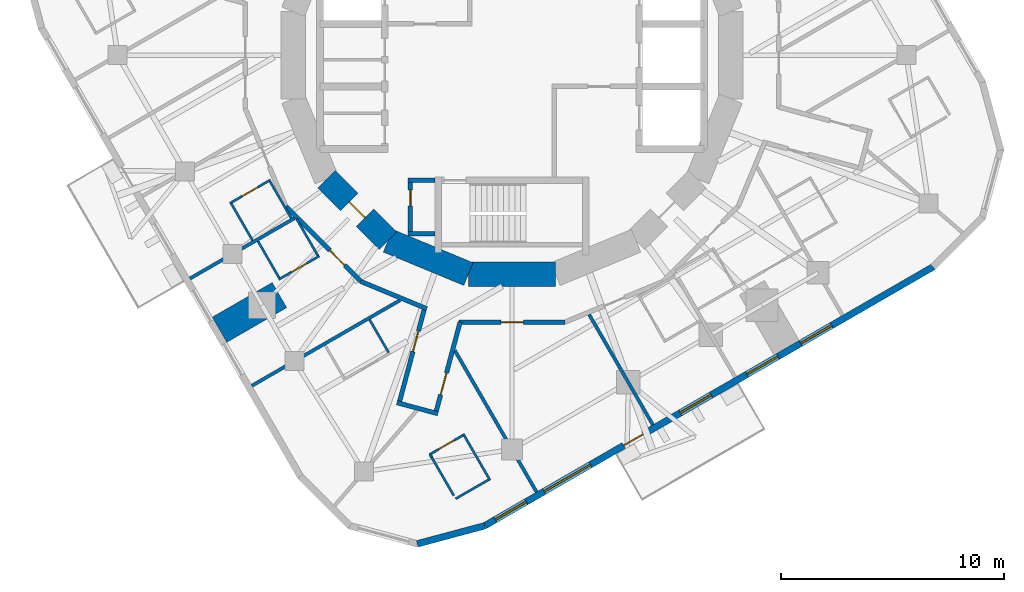
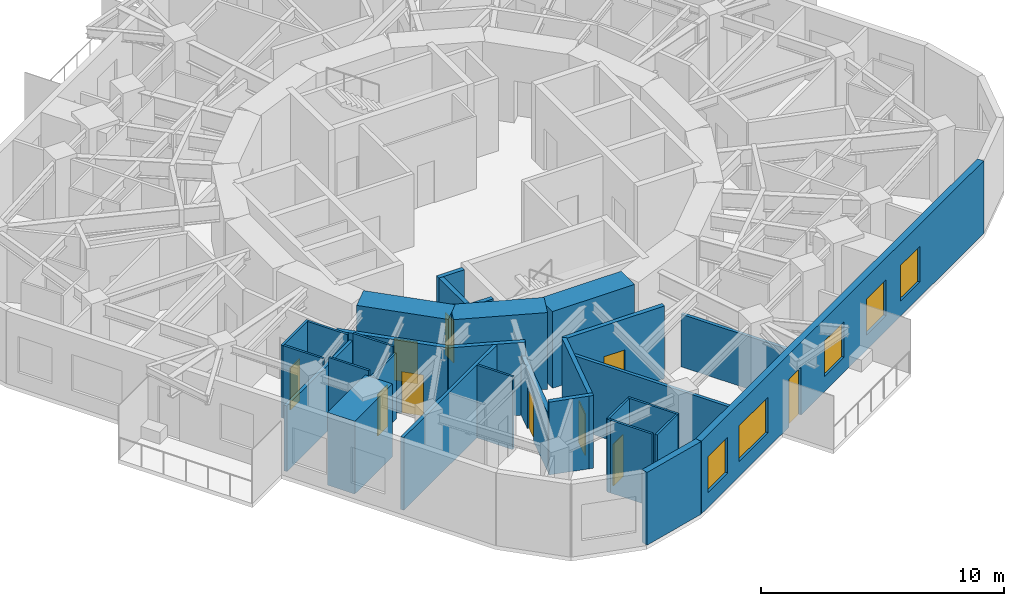
# One storey, part 4 of 11: 31 walls, 10 doors, 5 windows, 15 openings.
"""IFC4 building model written with IfcOpenShell, lengths in metres."""

from ifc_helpers import new_model, si_unit, direction, frame, frame_2d, origin, place, context, subcontext, project, spatial, rectangle, extrude, material, layer, layer_set, type_object, element, fill, save


model = new_model("IFC4")

# Units and contexts
model_context = context("Model", 3, precision=1e-05, world=origin(), true_north=direction((0.0, 1.0)))
body_context = subcontext(model_context, "Body", "Model", "MODEL_VIEW")
ifc_project = project(units=[si_unit("LENGTHUNIT", "METRE"), si_unit("AREAUNIT", "SQUARE_METRE"), si_unit("VOLUMEUNIT", "CUBIC_METRE"), si_unit("PLANEANGLEUNIT", "RADIAN"), si_unit("MASSUNIT", "GRAM", prefix="KILO")], contexts=[model_context])

# Site, building, storey
site_placement = place(None, origin())
site = spatial("IfcSite", under=ifc_project, at=site_placement, CompositionType="ELEMENT")
building_placement = place(site_placement, origin())
building = spatial("IfcBuilding", under=site, at=building_placement, Name="Nakasero Lantern House", CompositionType="ELEMENT")
storey_placement = place(building_placement, frame((0.0, 0.0, 230.800048828125)))
storey = spatial("IfcBuildingStorey", under=building, at=storey_placement, Name="L56", CompositionType="ELEMENT", Elevation=230.800048828125)

# Wall
ifc_material_1 = material(Name="Blockwork", Category="masonry")
ifc_layer_1 = layer(ifc_material_1, 1.300048828125)
ifc_layer_set_1 = layer_set([ifc_layer_1], Name="Column pier 1300")
wall_type_1 = type_object("IfcWallType", Name="Column pier 1300", PredefinedType="PARTITIONING", material=ifc_layer_set_1)
wall_1_placement = place(storey_placement, frame((-10.4208984375, -10.75048828125, 0.0), z_axis=(0.0, 0.0, 1.0), x_axis=(-0.866063626216, -0.499933790963, 0.0)))
element("IfcWall", 1, at=wall_1_placement, inside=storey, type_object=wall_type_1, Name="Column pier L56 PN2-05", PredefinedType="PARTITIONING", context=body_context, shape_type="SweptSolid", body=[
    extrude(rectangle(XDim=3.10009765625, YDim=1.300048828125, at=frame_2d((1.550048828125, 0.0))), origin(), (0.0, 0.0, 1.0), 3.64990234375),
])

# Wall, opening, door
ifc_material_2 = material(Name="Concrete C50/60", Category="concrete")
ifc_layer_2 = layer(ifc_material_2, 1.10009765625)
ifc_layer_set_2 = layer_set([ifc_layer_2], Name="Core wall 1100")
wall_type_2 = type_object("IfcWallType", Name="Core wall 1100", PredefinedType="SHEAR", material=ifc_layer_set_2)
wall_2_placement = place(storey_placement, frame((-8.314697265625, -5.5556640625, 0.0), z_axis=(0.0, 0.0, 1.0), x_axis=(0.707106781187, -0.707106781187, 0.0)))
wall_2 = element("IfcWall", 2, at=wall_2_placement, inside=storey, type_object=wall_type_2, Name="Core wall L56 facet 10", PredefinedType="SHEAR", context=body_context, shape_type="SweptSolid", body=[
    extrude(rectangle(XDim=3.90185546875, YDim=1.10009765625, at=frame_2d((1.950927734375, 0.0))), origin(), (0.0, 0.0, 1.0), 3.849853515625),
])
opening_1_placement = place(wall_2_placement, frame((1.450927734375, 0.0, 0.0)))
opening_1 = element("IfcOpeningElement", 3, at=opening_1_placement, cuts=wall_2, Name="Opening D05", PredefinedType="OPENING", context=body_context, shape_type="SweptSolid", body=[
    extrude(rectangle(XDim=1.0, YDim=2.10009765625, at=frame_2d((0.5, 1.050048828125))), frame((0.0, 0.570068359375, 0.0), z_axis=(0.0, -1.0, 0.0), x_axis=(1.0, 0.0, 0.0)), (0.0, 0.0, 1.0), 1.14013671875),
])
ifc_material_3 = material(Name="Timber C24", Category="wood")
door_type_1 = type_object("IfcDoorType", Name="Core door FD60S 1000", OperationType="SINGLE_SWING_LEFT", PredefinedType="DOOR", material=ifc_material_3)
door_1_placement = place(opening_1_placement, origin())
door_1 = element("IfcDoor", 4, at=door_1_placement, inside=storey, type_object=door_type_1, Name="Door L56 D-CORE10", OperationType="SINGLE_SWING_LEFT", OverallHeight=2.10009765625, OverallWidth=1.0, PredefinedType="DOOR", context=body_context, shape_type="SweptSolid", body=[
    extrude(rectangle(XDim=1.0, YDim=2.10009765625, at=frame_2d((0.5, 1.050048828125))), frame((0.0, 0.02490234375, 0.0), z_axis=(0.0, -1.0, 0.0), x_axis=(1.0, 0.0, 0.0)), (0.0, 0.0, 1.0), 0.050048828125),
])
fill(opening_1, door_1)

# Walls
for number, where, z_axis, x_axis, name in (
    (5, (-5.5556640625, -8.314697265625, 0.0), (0.0, 0.0, 1.0), (0.923876507187, -0.382690736062, 0.0), "Core wall L56 facet 11"),
    (6, (-1.950927734375, -9.807861328125, 0.0), (0.0, 0.0, 1.0), (1.0, 0.0, 0.0), "Core wall L56 facet 12"),
):
    element("IfcWall", number, at=place(storey_placement, frame(where, z_axis=z_axis, x_axis=x_axis)), inside=storey, type_object=wall_type_2, Name=name, PredefinedType="SHEAR", context=body_context, shape_type="SweptSolid", body=[
        extrude(rectangle(XDim=3.90185546875, YDim=1.10009765625, at=frame_2d((1.950927734375, 0.0))), origin(), (0.0, 0.0, 1.0), 3.849853515625),
    ])

# Wall, opening, door
ifc_material_4 = material(Name="Blockwork", Category="masonry")
ifc_layer_3 = layer(ifc_material_4, 0.199951171875)
ifc_layer_set_3 = layer_set([ifc_layer_3], Name="Corridor wall 200")
wall_type_3 = type_object("IfcWallType", Name="Corridor wall 200", PredefinedType="PARTITIONING", material=ifc_layer_set_3)
wall_3_placement = place(storey_placement, frame((2.378662109375, -11.957763671875, 0.0), z_axis=(0.0, 0.0, 1.0), x_axis=(-1.0, 0.0, 0.0)))
wall_3 = element("IfcWall", 7, at=wall_3_placement, inside=storey, type_object=wall_type_3, Name="Corridor wall L56 RC04a", PredefinedType="PARTITIONING", context=body_context, shape_type="SweptSolid", body=[
    extrude(rectangle(XDim=4.75732421875, YDim=0.199951171875, at=frame_2d((2.378662109375, 0.0))), origin(), (0.0, 0.0, 1.0), 3.64990234375),
])
opening_2_placement = place(wall_3_placement, frame((1.8701171875, 0.0, 0.0)))
opening_2 = element("IfcOpeningElement", 8, at=opening_2_placement, cuts=wall_3, Name="Opening D03", PredefinedType="OPENING", context=body_context, shape_type="SweptSolid", body=[
    extrude(rectangle(XDim=1.0, YDim=2.10009765625, at=frame_2d((0.5, 1.050048828125))), frame((0.0, 0.119873046875, 0.0), z_axis=(0.0, -1.0, 0.0), x_axis=(1.0, 0.0, 0.0)), (0.0, 0.0, 1.0), 0.239990234375),
])
ifc_material_5 = material(Name="Timber C24", Category="wood")
door_type_2 = type_object("IfcDoorType", Name="Lounge door FD30S 1000", OperationType="SINGLE_SWING_LEFT", PredefinedType="DOOR", material=ifc_material_5)
door_2_placement = place(opening_2_placement, origin())
door_2 = element("IfcDoor", 9, at=door_2_placement, inside=storey, type_object=door_type_2, Name="Door L56 DK3", OperationType="SINGLE_SWING_LEFT", OverallHeight=2.10009765625, OverallWidth=1.0, PredefinedType="DOOR", context=body_context, shape_type="SweptSolid", body=[
    extrude(rectangle(XDim=1.0, YDim=2.10009765625, at=frame_2d((0.5, 1.050048828125))), frame((0.0, 0.02490234375, 0.0), z_axis=(0.0, -1.0, 0.0), x_axis=(1.0, 0.0, 0.0)), (0.0, 0.0, 1.0), 0.050048828125),
])
fill(opening_2, door_2)

# Wall
wall_4_placement = place(storey_placement, frame((-3.820556640625, -11.360595703125, 0.0), z_axis=(0.0, 0.0, 1.0), x_axis=(-0.923888369431, 0.382662097458, 0.0)))
element("IfcWall", 10, at=wall_4_placement, inside=storey, type_object=wall_type_3, Name="Corridor wall L56 RC05b", PredefinedType="PARTITIONING", context=body_context, shape_type="SweptSolid", body=[
    extrude(rectangle(XDim=3.1962890625, YDim=0.199951171875, at=frame_2d((1.59814453125, 0.0))), origin(), (0.0, 0.0, 1.0), 3.64990234375),
])

# Wall, opening, door
wall_5_placement = place(storey_placement, frame((-6.773681640625, -10.137451171875, 0.0), z_axis=(0.0, 0.0, 1.0), x_axis=(-0.707106781187, 0.707106781187, 0.0)))
wall_5 = element("IfcWall", 11, at=wall_5_placement, inside=storey, type_object=wall_type_3, Name="Corridor wall L56 RC06a", PredefinedType="PARTITIONING", context=body_context, shape_type="SweptSolid", body=[
    extrude(rectangle(XDim=4.757080078125, YDim=0.199951171875, at=frame_2d((2.37841796875, 0.0))), origin(), (0.0, 0.0, 1.0), 3.64990234375),
])
opening_3_placement = place(wall_5_placement, frame((1.02001953125, 0.0, 0.0)))
opening_3 = element("IfcOpeningElement", 12, at=opening_3_placement, cuts=wall_5, Name="Opening D01", PredefinedType="OPENING", context=body_context, shape_type="SweptSolid", body=[
    extrude(rectangle(XDim=0.949951171875, YDim=2.10009765625, at=frame_2d((0.47509765625, 1.050048828125))), frame((0.0, 0.119873046875, 0.0), z_axis=(0.0, -1.0, 0.0), x_axis=(1.0, 0.0, 0.0)), (0.0, 0.0, 1.0), 0.239990234375),
])
ifc_material_6 = material(Name="Timber C24", Category="wood")
door_type_3 = type_object("IfcDoorType", Name="Bedroom door FD30S 950", OperationType="SINGLE_SWING_LEFT", PredefinedType="DOOR", material=ifc_material_6)
door_3_placement = place(opening_3_placement, origin())
door_3 = element("IfcDoor", 13, at=door_3_placement, inside=storey, type_object=door_type_3, Name="Door L56 D2-04", OperationType="SINGLE_SWING_LEFT", OverallHeight=2.10009765625, OverallWidth=0.949951171875, PredefinedType="DOOR", context=body_context, shape_type="SweptSolid", body=[
    extrude(rectangle(XDim=0.949951171875, YDim=2.10009765625, at=frame_2d((0.47509765625, 1.050048828125))), frame((0.0, 0.02490234375, 0.0), z_axis=(0.0, -1.0, 0.0), x_axis=(1.0, 0.0, 0.0)), (0.0, 0.0, 1.0), 0.050048828125),
])
fill(opening_3, door_3)

wall_6_placement = place(storey_placement, frame((-3.913818359375, -11.322021484375, 0.0), z_axis=(0.0, 0.0, 1.0), x_axis=(-0.258777439659, -0.965936973474, 0.0)))
wall_6 = element("IfcWall", 14, at=wall_6_placement, inside=storey, type_object=wall_type_3, Name="Corridor wall L56 SP2a", PredefinedType="PARTITIONING", context=body_context, shape_type="SweptSolid", body=[
    extrude(rectangle(XDim=4.524658203125, YDim=0.199951171875, at=frame_2d((2.26220703125, 0.0))), origin(), (0.0, 0.0, 1.0), 2.95703125),
])
opening_4_placement = place(wall_6_placement, frame((1.070068359375, 0.0, 0.0)))
opening_4 = element("IfcOpeningElement", 15, at=opening_4_placement, cuts=wall_6, Name="Opening D01", PredefinedType="OPENING", context=body_context, shape_type="SweptSolid", body=[
    extrude(rectangle(XDim=0.949951171875, YDim=2.10009765625, at=frame_2d((0.47509765625, 1.050048828125))), frame((0.0, 0.119873046875, 0.0), z_axis=(0.0, -1.0, 0.0), x_axis=(1.0, 0.0, 0.0)), (0.0, 0.0, 1.0), 0.239990234375),
])
door_4_placement = place(opening_4_placement, origin())
door_4 = element("IfcDoor", 16, at=door_4_placement, inside=storey, type_object=door_type_3, Name="Door L56 D2-06", OperationType="SINGLE_SWING_LEFT", OverallHeight=2.10009765625, OverallWidth=0.949951171875, PredefinedType="DOOR", context=body_context, shape_type="SweptSolid", body=[
    extrude(rectangle(XDim=0.949951171875, YDim=2.10009765625, at=frame_2d((0.47509765625, 1.050048828125))), frame((0.0, 0.02490234375, 0.0), z_axis=(0.0, -1.0, 0.0), x_axis=(1.0, 0.0, 0.0)), (0.0, 0.0, 1.0), 0.050048828125),
])
fill(opening_4, door_4)

wall_7_placement = place(storey_placement, frame((-2.32421875, -11.957763671875, 0.0), z_axis=(0.0, 0.0, 1.0), x_axis=(-0.258769967576, -0.965938975236, 0.0)))
wall_7 = element("IfcWall", 17, at=wall_7_placement, inside=storey, type_object=wall_type_3, Name="Corridor wall L56 SP2b", PredefinedType="PARTITIONING", context=body_context, shape_type="SweptSolid", body=[
    extrude(rectangle(XDim=4.322021484375, YDim=0.199951171875, at=frame_2d((2.1611328125, 0.0))), origin(), (0.0, 0.0, 1.0), 3.64990234375),
])
opening_5_placement = place(wall_7_placement, frame((2.3701171875, 0.0, 0.0)))
opening_5 = element("IfcOpeningElement", 18, at=opening_5_placement, cuts=wall_7, Name="Opening D07", PredefinedType="OPENING", context=body_context, shape_type="SweptSolid", body=[
    extrude(rectangle(XDim=1.0, YDim=2.10009765625, at=frame_2d((0.5, 1.050048828125))), frame((0.0, 0.119873046875, 0.0), z_axis=(0.0, -1.0, 0.0), x_axis=(1.0, 0.0, 0.0)), (0.0, 0.0, 1.0), 0.239990234375),
])
ifc_material_7 = material(Name="Timber C24", Category="wood")
door_type_4 = type_object("IfcDoorType", Name="Room door FD30S 1000", OperationType="SINGLE_SWING_LEFT", PredefinedType="DOOR", material=ifc_material_7)
door_5_placement = place(opening_5_placement, origin())
door_5 = element("IfcDoor", 19, at=door_5_placement, inside=storey, type_object=door_type_4, Name="Door L56 D3-00", OperationType="SINGLE_SWING_RIGHT", OverallHeight=2.10009765625, OverallWidth=1.0, PredefinedType="DOOR", context=body_context, shape_type="SweptSolid", body=[
    extrude(rectangle(XDim=1.0, YDim=2.10009765625, at=frame_2d((0.5, 1.050048828125))), frame((0.0, 0.02490234375, 0.0), z_axis=(0.0, -1.0, 0.0), x_axis=(1.0, 0.0, 0.0)), (0.0, 0.0, 1.0), 0.050048828125),
])
fill(opening_5, door_5)

# Wall
wall_8_placement = place(storey_placement, frame((-5.155517578125, -15.570068359375, 0.0), z_axis=(0.0, 0.0, 1.0), x_axis=(0.96593141835, -0.258798174346, 0.0)))
element("IfcWall", 20, at=wall_8_placement, inside=storey, type_object=wall_type_3, Name="Corridor wall L56 SP2e", PredefinedType="PARTITIONING", context=body_context, shape_type="SweptSolid", body=[
    extrude(rectangle(XDim=1.89990234375, YDim=0.199951171875, at=frame_2d((0.949951171875, 0.0))), origin(), (0.0, 0.0, 1.0), 3.64990234375),
])

# Wall, opening, door
ifc_material_8 = material(Name="Blockwork", Category="masonry")
ifc_layer_4 = layer(ifc_material_8, 0.10009765625)
ifc_layer_set_4 = layer_set([ifc_layer_4], Name="En-suite wall 100")
wall_type_4 = type_object("IfcWallType", Name="En-suite wall 100", PredefinedType="PARTITIONING", material=ifc_layer_set_4)
wall_9_placement = place(storey_placement, frame((-10.82470703125, -5.586669921875, 0.0), z_axis=(0.0, 0.0, 1.0), x_axis=(-0.866009402589, -0.500027713859, 0.0)))
wall_9 = element("IfcWall", 21, at=wall_9_placement, inside=storey, type_object=wall_type_4, Name="En-suite wall L56 ES2-03", PredefinedType="PARTITIONING", context=body_context, shape_type="SweptSolid", body=[
    extrude(rectangle(XDim=2.10009765625, YDim=0.10009765625, at=frame_2d((1.050048828125, 0.0))), origin(), (0.0, 0.0, 1.0), 3.64990234375),
])
opening_6_placement = place(wall_9_placement, frame((0.64990234375, 0.0, 0.0)))
opening_6 = element("IfcOpeningElement", 22, at=opening_6_placement, cuts=wall_9, Name="Opening D02", PredefinedType="OPENING", context=body_context, shape_type="SweptSolid", body=[
    extrude(rectangle(XDim=0.800048828125, YDim=2.10009765625, at=frame_2d((0.39990234375, 1.050048828125))), frame((0.0, 0.070068359375, 0.0), z_axis=(0.0, -1.0, 0.0), x_axis=(1.0, 0.0, 0.0)), (0.0, 0.0, 1.0), 0.14013671875),
])
ifc_material_9 = material(Name="Timber C24", Category="wood")
door_type_5 = type_object("IfcDoorType", Name="En-suite door 800", OperationType="SINGLE_SWING_RIGHT", PredefinedType="DOOR", material=ifc_material_9)
door_6_placement = place(opening_6_placement, origin())
door_6 = element("IfcDoor", 23, at=door_6_placement, inside=storey, type_object=door_type_5, Name="Door L56 DE2-03", OperationType="SINGLE_SWING_RIGHT", OverallHeight=2.10009765625, OverallWidth=0.800048828125, PredefinedType="DOOR", context=body_context, shape_type="SweptSolid", body=[
    extrude(rectangle(XDim=0.800048828125, YDim=2.10009765625, at=frame_2d((0.39990234375, 1.050048828125))), frame((0.0, 0.02490234375, 0.0), z_axis=(0.0, -1.0, 0.0), x_axis=(1.0, 0.0, 0.0)), (0.0, 0.0, 1.0), 0.050048828125),
])
fill(opening_6, door_6)

# Walls
for number, where, z_axis, x_axis, name in (
    (24, (-12.574951171875, -6.655029296875, 0.0), (0.0, 0.0, 1.0), (0.499967155389, -0.866044365799, 0.0), "En-suite wall L56 EE2-03"),
    (25, (-10.843017578125, -5.655029296875, 0.0), (0.0, 0.0, 1.0), (0.499967155389, -0.866044365799, 0.0), "En-suite wall L56 EI2-03"),
):
    element("IfcWall", number, at=place(storey_placement, frame(where, z_axis=z_axis, x_axis=x_axis)), inside=storey, type_object=wall_type_4, Name=name, PredefinedType="PARTITIONING", context=body_context, shape_type="SweptSolid", body=[
        extrude(rectangle(XDim=1.900146484375, YDim=0.10009765625, at=frame_2d((0.9501953125, 0.0))), origin(), (0.0, 0.0, 1.0), 3.64990234375),
    ])

# Wall, opening, door
wall_10_placement = place(storey_placement, frame((-8.632080078125, -8.997314453125, 0.0), z_axis=(0.0, 0.0, 1.0), x_axis=(-0.866038466041, -0.499977374825, 0.0)))
wall_10 = element("IfcWall", 26, at=wall_10_placement, inside=storey, type_object=wall_type_4, Name="En-suite wall L56 ES2-04", PredefinedType="PARTITIONING", context=body_context, shape_type="SweptSolid", body=[
    extrude(rectangle(XDim=2.10009765625, YDim=0.10009765625, at=frame_2d((1.050048828125, 0.0))), origin(), (0.0, 0.0, 1.0), 3.294921875),
])
opening_7_placement = place(wall_10_placement, frame((0.64990234375, 0.0, 0.0)))
opening_7 = element("IfcOpeningElement", 27, at=opening_7_placement, cuts=wall_10, Name="Opening D02", PredefinedType="OPENING", context=body_context, shape_type="SweptSolid", body=[
    extrude(rectangle(XDim=0.800048828125, YDim=2.10009765625, at=frame_2d((0.39990234375, 1.050048828125))), frame((0.0, 0.070068359375, 0.0), z_axis=(0.0, -1.0, 0.0), x_axis=(1.0, 0.0, 0.0)), (0.0, 0.0, 1.0), 0.14013671875),
])
door_7_placement = place(opening_7_placement, origin())
door_7 = element("IfcDoor", 28, at=door_7_placement, inside=storey, type_object=door_type_5, Name="Door L56 DE2-04", OperationType="SINGLE_SWING_RIGHT", OverallHeight=2.10009765625, OverallWidth=0.800048828125, PredefinedType="DOOR", context=body_context, shape_type="SweptSolid", body=[
    extrude(rectangle(XDim=0.800048828125, YDim=2.10009765625, at=frame_2d((0.39990234375, 1.050048828125))), frame((0.0, 0.02490234375, 0.0), z_axis=(0.0, -1.0, 0.0), x_axis=(1.0, 0.0, 0.0)), (0.0, 0.0, 1.0), 0.050048828125),
])
fill(opening_7, door_7)

# Walls
for number, where, z_axis, x_axis, name in (
    (29, (-11.382568359375, -8.333740234375, 0.0), (0.0, 0.0, 1.0), (0.500022797313, -0.86601224135, 0.0), "En-suite wall L56 EE2-04"),
    (30, (-9.650390625, -7.333740234375, 0.0), (0.0, 0.0, 1.0), (0.500022797313, -0.86601224135, 0.0), "En-suite wall L56 EI2-04"),
):
    element("IfcWall", number, at=place(storey_placement, frame(where, z_axis=z_axis, x_axis=x_axis)), inside=storey, type_object=wall_type_4, Name=name, PredefinedType="PARTITIONING", context=body_context, shape_type="SweptSolid", body=[
        extrude(rectangle(XDim=1.89990234375, YDim=0.10009765625, at=frame_2d((0.949951171875, 0.0))), origin(), (0.0, 0.0, 1.0), 3.64990234375),
    ])
wall_11_placement = place(storey_placement, frame((-6.37890625, -11.8515625, 0.0), z_axis=(0.0, 0.0, 1.0), x_axis=(0.500062241894, -0.865989465428, 0.0)))
element("IfcWall", 31, at=wall_11_placement, inside=storey, type_object=wall_type_4, Name="En-suite wall L56 EI2-06", PredefinedType="PARTITIONING", context=body_context, shape_type="SweptSolid", body=[
    extrude(rectangle(XDim=1.699951171875, YDim=0.10009765625, at=frame_2d((0.85009765625, 0.0))), origin(), (0.0, 0.0, 1.0), 3.64990234375),
])
wall_12_placement = place(storey_placement, frame((-2.18505859375, -16.96533203125, 0.0), z_axis=(0.0, 0.0, 1.0), x_axis=(0.499957262057, -0.866050077142, 0.0)))
element("IfcWall", 32, at=wall_12_placement, inside=storey, type_object=wall_type_4, Name="En-suite wall L56 ES3-00", PredefinedType="PARTITIONING", context=body_context, shape_type="SweptSolid", body=[
    extrude(rectangle(XDim=2.400146484375, YDim=0.10009765625, at=frame_2d((1.2001953125, 0.0))), origin(), (0.0, 0.0, 1.0), 3.64990234375),
])
wall_13_placement = place(storey_placement, frame((-2.525634765625, -19.87548828125, 0.0), z_axis=(0.0, 0.0, 1.0), x_axis=(0.866087547558, 0.499892348375, 0.0)))
element("IfcWall", 33, at=wall_13_placement, inside=storey, type_object=wall_type_4, Name="En-suite wall L56 EE3-00", PredefinedType="PARTITIONING", context=body_context, shape_type="SweptSolid", body=[
    extrude(rectangle(XDim=1.699951171875, YDim=0.10009765625, at=frame_2d((0.85009765625, 0.0))), origin(), (0.0, 0.0, 1.0), 3.64990234375),
])

# Wall, opening, door
wall_14_placement = place(storey_placement, frame((-3.675537109375, -17.8837890625, 0.0), z_axis=(0.0, 0.0, 1.0), x_axis=(0.865989465428, 0.500062241894, 0.0)))
wall_14 = element("IfcWall", 34, at=wall_14_placement, inside=storey, type_object=wall_type_4, Name="En-suite wall L56 EI3-00", PredefinedType="PARTITIONING", context=body_context, shape_type="SweptSolid", body=[
    extrude(rectangle(XDim=1.699951171875, YDim=0.10009765625, at=frame_2d((0.85009765625, 0.0))), origin(), (0.0, 0.0, 1.0), 3.64990234375),
])
opening_8_placement = place(wall_14_placement, frame((0.449951171875, 0.0, 0.0)))
opening_8 = element("IfcOpeningElement", 35, at=opening_8_placement, cuts=wall_14, Name="Opening D15", PredefinedType="OPENING", context=body_context, shape_type="SweptSolid", body=[
    extrude(rectangle(XDim=0.800048828125, YDim=2.10009765625, at=frame_2d((0.39990234375, 1.050048828125))), frame((0.0, 0.070068359375, 0.0), z_axis=(0.0, -1.0, 0.0), x_axis=(1.0, 0.0, 0.0)), (0.0, 0.0, 1.0), 0.14013671875),
])
ifc_material_10 = material(Name="Timber C24", Category="wood")
door_type_6 = type_object("IfcDoorType", Name="Cleaner's store door FD30S 800", OperationType="SINGLE_SWING_LEFT", PredefinedType="DOOR", material=ifc_material_10)
door_8_placement = place(opening_8_placement, origin())
door_8 = element("IfcDoor", 36, at=door_8_placement, inside=storey, type_object=door_type_6, Name="Door L56 DE3-00", OperationType="SINGLE_SWING_RIGHT", OverallHeight=2.10009765625, OverallWidth=0.800048828125, PredefinedType="DOOR", context=body_context, shape_type="SweptSolid", body=[
    extrude(rectangle(XDim=0.800048828125, YDim=2.10009765625, at=frame_2d((0.39990234375, 1.050048828125))), frame((0.0, 0.02490234375, 0.0), z_axis=(0.0, -1.0, 0.0), x_axis=(1.0, 0.0, 0.0)), (0.0, 0.0, 1.0), 0.050048828125),
])
fill(opening_8, door_8)

# Walls
wall_15_placement = place(storey_placement, frame((-3.595458984375, -18.022216796875, 0.0), z_axis=(0.0, 0.0, 1.0), x_axis=(0.499971491109, -0.866041862775, 0.0)))
element("IfcWall", 37, at=wall_15_placement, inside=storey, type_object=wall_type_4, Name="En-suite wall L56 EX003", PredefinedType="PARTITIONING", context=body_context, shape_type="SweptSolid", body=[
    extrude(rectangle(XDim=1.97998046875, YDim=0.10009765625, at=frame_2d((0.989990234375, 0.0))), origin(), (0.0, 0.0, 1.0), 3.64990234375),
])
wall_16_placement = place(storey_placement, frame((-3.675537109375, -17.8837890625, 0.0), z_axis=(0.0, 0.0, 1.0), x_axis=(0.500735348028, -0.865600433939, 0.0)))
element("IfcWall", 38, at=wall_16_placement, inside=storey, type_object=wall_type_4, Name="En-suite wall L56 EI3-00R0", PredefinedType="PARTITIONING", context=body_context, shape_type="SweptSolid", body=[
    extrude(rectangle(XDim=0.159912109375, YDim=0.10009765625, at=frame_2d((0.080078125, 0.0))), origin(), (0.0, 0.0, 1.0), 3.64990234375),
])
ifc_material_11 = material(Name="Aluminium rainscreen on blockwork", Category="masonry")
ifc_layer_5 = layer(ifc_material_11, 0.300048828125)
ifc_layer_set_5 = layer_set([ifc_layer_5], Name="Facade wall 300")
wall_type_5 = type_object("IfcWallType", Name="Facade wall 300", PredefinedType="SOLIDWALL", material=ifc_layer_set_5)
wall_17_placement = place(storey_placement, frame((-4.245849609375, -21.89599609375, 0.0), z_axis=(0.0, 0.0, 1.0), x_axis=(0.96592369199, 0.258827010283, 0.0)))
element("IfcWall", 39, at=wall_17_placement, inside=storey, type_object=wall_type_5, Name="Facade wall L56 FW2C3", PredefinedType="SOLIDWALL", context=body_context, shape_type="SweptSolid", body=[
    extrude(rectangle(XDim=3.131591796875, YDim=0.300048828125, at=frame_2d((1.56591796875, 0.0))), origin(), (0.0, 0.0, 1.0), 3.64990234375),
])

# Wall, openings, door, windows
wall_18_placement = place(storey_placement, frame((-1.220947265625, -21.08544921875, 0.0), z_axis=(0.0, 0.0, 1.0), x_axis=(0.86602366199, 0.500003016864, 0.0)))
wall_18 = element("IfcWall", 40, at=wall_18_placement, inside=storey, type_object=wall_type_5, Name="Facade wall L56 FW3S", PredefinedType="SOLIDWALL", context=body_context, shape_type="SweptSolid", body=[
    extrude(rectangle(XDim=23.199951171875, YDim=0.300048828125, at=frame_2d((11.60009765625, 0.0))), origin(), (0.0, 0.0, 1.0), 3.64990234375),
])
opening_9_placement = place(wall_18_placement, frame((0.5458984375, 0.0, 0.75)))
opening_9 = element("IfcOpeningElement", 41, at=opening_9_placement, cuts=wall_18, Name="Opening W01", PredefinedType="OPENING", context=body_context, shape_type="SweptSolid", body=[
    extrude(rectangle(XDim=1.60009765625, YDim=1.800048828125, at=frame_2d((0.800048828125, 0.89990234375))), frame((0.0, 0.169921875, 0.0), z_axis=(0.0, -1.0, 0.0), x_axis=(1.0, 0.0, 0.0)), (0.0, 0.0, 1.0), 0.340087890625),
])
opening_10_placement = place(wall_18_placement, frame((10.11767578125, 0.0, 0.75)))
opening_10 = element("IfcOpeningElement", 42, at=opening_10_placement, cuts=wall_18, Name="Opening W01", PredefinedType="OPENING", context=body_context, shape_type="SweptSolid", body=[
    extrude(rectangle(XDim=1.60009765625, YDim=1.800048828125, at=frame_2d((0.800048828125, 0.89990234375))), frame((0.0, 0.169921875, 0.0), z_axis=(0.0, -1.0, 0.0), x_axis=(1.0, 0.0, 0.0)), (0.0, 0.0, 1.0), 0.340087890625),
])
opening_11_placement = place(wall_18_placement, frame((13.5751953125, 0.0, 0.75)))
opening_11 = element("IfcOpeningElement", 43, at=opening_11_placement, cuts=wall_18, Name="Opening W01", PredefinedType="OPENING", context=body_context, shape_type="SweptSolid", body=[
    extrude(rectangle(XDim=1.60009765625, YDim=1.800048828125, at=frame_2d((0.800048828125, 0.89990234375))), frame((0.0, 0.169921875, 0.0), z_axis=(0.0, -1.0, 0.0), x_axis=(1.0, 0.0, 0.0)), (0.0, 0.0, 1.0), 0.340087890625),
])
opening_12_placement = place(wall_18_placement, frame((16.349609375, 0.0, 0.75)))
opening_12 = element("IfcOpeningElement", 44, at=opening_12_placement, cuts=wall_18, Name="Opening W01", PredefinedType="OPENING", context=body_context, shape_type="SweptSolid", body=[
    extrude(rectangle(XDim=1.60009765625, YDim=1.800048828125, at=frame_2d((0.800048828125, 0.89990234375))), frame((0.0, 0.169921875, 0.0), z_axis=(0.0, -1.0, 0.0), x_axis=(1.0, 0.0, 0.0)), (0.0, 0.0, 1.0), 0.340087890625),
])
opening_13_placement = place(wall_18_placement, frame((3.071044921875, 0.0, 0.75)))
opening_13 = element("IfcOpeningElement", 45, at=opening_13_placement, cuts=wall_18, Name="Opening W03", PredefinedType="OPENING", context=body_context, shape_type="SweptSolid", body=[
    extrude(rectangle(XDim=2.39990234375, YDim=1.800048828125, at=frame_2d((1.199951171875, 0.89990234375))), frame((0.0, 0.169921875, 0.0), z_axis=(0.0, -1.0, 0.0), x_axis=(1.0, 0.0, 0.0)), (0.0, 0.0, 1.0), 0.340087890625),
])
opening_14_placement = place(wall_18_placement, frame((7.1904296875, 0.0, 0.0)))
opening_14 = element("IfcOpeningElement", 46, at=opening_14_placement, cuts=wall_18, Name="Opening D04", PredefinedType="OPENING", context=body_context, shape_type="SweptSolid", body=[
    extrude(rectangle(XDim=1.0, YDim=2.39990234375, at=frame_2d((0.5, 1.199951171875))), frame((0.0, 0.169921875, 0.0), z_axis=(0.0, -1.0, 0.0), x_axis=(1.0, 0.0, 0.0)), (0.0, 0.0, 1.0), 0.340087890625),
])
ifc_material_12 = material(Name="Aluminium 6063-T6 and glass", Category="aluminium")
door_type_7 = type_object("IfcDoorType", Name="Balcony door 1000x2400", OperationType="SINGLE_SWING_RIGHT", PredefinedType="DOOR", material=ifc_material_12)
door_9_placement = place(opening_14_placement, origin())
door_9 = element("IfcDoor", 47, at=door_9_placement, inside=storey, type_object=door_type_7, Name="Balcony door L56 DB3", OperationType="SINGLE_SWING_RIGHT", OverallHeight=2.39990234375, OverallWidth=1.0, PredefinedType="DOOR", context=body_context, shape_type="SweptSolid", body=[
    extrude(rectangle(XDim=1.0, YDim=2.39990234375, at=frame_2d((0.5, 1.199951171875))), frame((0.0, 0.02490234375, 0.0), z_axis=(0.0, -1.0, 0.0), x_axis=(1.0, 0.0, 0.0)), (0.0, 0.0, 1.0), 0.050048828125),
])
fill(opening_14, door_9)
ifc_material_13 = material(Name="Aluminium 6063-T6 and glass", Category="aluminium")
window_type_1 = type_object("IfcWindowType", Name="Bedroom window 1600x1800", PartitioningType="SINGLE_PANEL", PredefinedType="WINDOW", material=ifc_material_13)
window_1_placement = place(opening_9_placement, origin())
window_1 = element("IfcWindow", 48, at=window_1_placement, inside=storey, type_object=window_type_1, Name="Window L56 WN3-00", OverallHeight=1.800048828125, OverallWidth=1.60009765625, PartitioningType="SINGLE_PANEL", PredefinedType="WINDOW", context=body_context, shape_type="SweptSolid", body=[
    extrude(rectangle(XDim=1.60009765625, YDim=1.800048828125, at=frame_2d((0.800048828125, 0.89990234375))), frame((0.0, 0.030029296875, 0.0), z_axis=(0.0, -1.0, 0.0), x_axis=(1.0, 0.0, 0.0)), (0.0, 0.0, 1.0), 0.06005859375),
])
fill(opening_9, window_1)
window_2_placement = place(opening_10_placement, origin())
window_2 = element("IfcWindow", 49, at=window_2_placement, inside=storey, type_object=window_type_1, Name="Window L56 WN3-03", OverallHeight=1.800048828125, OverallWidth=1.60009765625, PartitioningType="SINGLE_PANEL", PredefinedType="WINDOW", context=body_context, shape_type="SweptSolid", body=[
    extrude(rectangle(XDim=1.60009765625, YDim=1.800048828125, at=frame_2d((0.800048828125, 0.89990234375))), frame((0.0, 0.030029296875, 0.0), z_axis=(0.0, -1.0, 0.0), x_axis=(1.0, 0.0, 0.0)), (0.0, 0.0, 1.0), 0.06005859375),
])
fill(opening_10, window_2)
window_3_placement = place(opening_11_placement, origin())
window_3 = element("IfcWindow", 50, at=window_3_placement, inside=storey, type_object=window_type_1, Name="Window L56 WN3-04", OverallHeight=1.800048828125, OverallWidth=1.60009765625, PartitioningType="SINGLE_PANEL", PredefinedType="WINDOW", context=body_context, shape_type="SweptSolid", body=[
    extrude(rectangle(XDim=1.60009765625, YDim=1.800048828125, at=frame_2d((0.800048828125, 0.89990234375))), frame((0.0, 0.030029296875, 0.0), z_axis=(0.0, -1.0, 0.0), x_axis=(1.0, 0.0, 0.0)), (0.0, 0.0, 1.0), 0.06005859375),
])
fill(opening_11, window_3)
window_4_placement = place(opening_12_placement, origin())
window_4 = element("IfcWindow", 51, at=window_4_placement, inside=storey, type_object=window_type_1, Name="Window L56 WN3-05", OverallHeight=1.800048828125, OverallWidth=1.60009765625, PartitioningType="SINGLE_PANEL", PredefinedType="WINDOW", context=body_context, shape_type="SweptSolid", body=[
    extrude(rectangle(XDim=1.60009765625, YDim=1.800048828125, at=frame_2d((0.800048828125, 0.89990234375))), frame((0.0, 0.030029296875, 0.0), z_axis=(0.0, -1.0, 0.0), x_axis=(1.0, 0.0, 0.0)), (0.0, 0.0, 1.0), 0.06005859375),
])
fill(opening_12, window_4)
ifc_material_14 = material(Name="Aluminium 6063-T6 and glass", Category="aluminium")
window_type_2 = type_object("IfcWindowType", Name="Lounge window 2400x1800", PartitioningType="SINGLE_PANEL", PredefinedType="WINDOW", material=ifc_material_14)
window_5_placement = place(opening_13_placement, origin())
window_5 = element("IfcWindow", 52, at=window_5_placement, inside=storey, type_object=window_type_2, Name="Window L56 WK3", OverallHeight=1.800048828125, OverallWidth=2.39990234375, PartitioningType="SINGLE_PANEL", PredefinedType="WINDOW", context=body_context, shape_type="SweptSolid", body=[
    extrude(rectangle(XDim=2.39990234375, YDim=1.800048828125, at=frame_2d((1.199951171875, 0.89990234375))), frame((0.0, 0.030029296875, 0.0), z_axis=(0.0, -1.0, 0.0), x_axis=(1.0, 0.0, 0.0)), (0.0, 0.0, 1.0), 0.06005859375),
])
fill(opening_13, window_5)

# Wall, opening, door
ifc_material_15 = material(Name="Blockwork", Category="masonry")
ifc_layer_6 = layer(ifc_material_15, 0.199951171875)
ifc_layer_set_6 = layer_set([ifc_layer_6], Name="Fire lobby wall 200")
wall_type_6 = type_object("IfcWallType", Name="Fire lobby wall 200", PredefinedType="PARTITIONING", material=ifc_layer_set_6)
wall_19_placement = place(storey_placement, frame((-4.550048828125, -5.60009765625, 0.0), z_axis=(0.0, 0.0, 1.0), x_axis=(0.0, -1.0, 0.0)))
wall_19 = element("IfcWall", 53, at=wall_19_placement, inside=storey, type_object=wall_type_6, Name="Fire lobby wall L56 W-RS2W", PredefinedType="PARTITIONING", context=body_context, shape_type="SweptSolid", body=[
    extrude(rectangle(XDim=2.39990234375, YDim=0.199951171875, at=frame_2d((1.199951171875, 0.0))), origin(), (0.0, 0.0, 1.0), 3.64990234375),
])
opening_15_placement = place(wall_19_placement, frame((0.449951171875, 0.0, 0.0)))
opening_15 = element("IfcOpeningElement", 54, at=opening_15_placement, cuts=wall_19, Name="Opening D06", PredefinedType="OPENING", context=body_context, shape_type="SweptSolid", body=[
    extrude(rectangle(XDim=0.699951171875, YDim=2.10009765625, at=frame_2d((0.35009765625, 1.050048828125))), frame((0.0, 0.119873046875, 0.0), z_axis=(0.0, -1.0, 0.0), x_axis=(1.0, 0.0, 0.0)), (0.0, 0.0, 1.0), 0.239990234375),
])
ifc_material_16 = material(Name="Steel S355", Category="steel")
door_type_8 = type_object("IfcDoorType", Name="Riser door FD60 700", OperationType="SINGLE_SWING_LEFT", PredefinedType="DOOR", material=ifc_material_16)
door_10_placement = place(opening_15_placement, origin())
door_10 = element("IfcDoor", 55, at=door_10_placement, inside=storey, type_object=door_type_8, Name="Door L56 D-RS2", OperationType="SINGLE_SWING_LEFT", OverallHeight=2.10009765625, OverallWidth=0.699951171875, PredefinedType="DOOR", context=body_context, shape_type="SweptSolid", body=[
    extrude(rectangle(XDim=0.699951171875, YDim=2.10009765625, at=frame_2d((0.35009765625, 1.050048828125))), frame((0.0, 0.02490234375, 0.0), z_axis=(0.0, -1.0, 0.0), x_axis=(1.0, 0.0, 0.0)), (0.0, 0.0, 1.0), 0.050048828125),
])
fill(opening_15, door_10)

# Walls
for number, where, z_axis, x_axis, name in (
    (56, (-3.449951171875, -8.0, 0.0), (0.0, 0.0, 1.0), (-1.0, 0.0, 0.0), "Fire lobby wall L56 W-RS2S"),
    (57, (-3.449951171875, -5.60009765625, 0.0), (0.0, 0.0, 1.0), (-1.0, 0.0, 0.0), "Fire lobby wall L56 W-RS2N"),
):
    element("IfcWall", number, at=place(storey_placement, frame(where, z_axis=z_axis, x_axis=x_axis)), inside=storey, type_object=wall_type_6, Name=name, PredefinedType="PARTITIONING", context=body_context, shape_type="SweptSolid", body=[
        extrude(rectangle(XDim=1.199951171875, YDim=0.199951171875, at=frame_2d((0.60009765625, 0.0))), origin(), (0.0, 0.0, 1.0), 3.64990234375),
    ])
ifc_material_17 = material(Name="Blockwork", Category="masonry")
ifc_layer_7 = layer(ifc_material_17, 0.14990234375)
ifc_layer_set_7 = layer_set([ifc_layer_7], Name="Party wall 150")
wall_type_7 = type_object("IfcWallType", Name="Party wall 150", PredefinedType="PARTITIONING", material=ifc_layer_set_7)
wall_20_placement = place(storey_placement, frame((-9.748779296875, -7.3037109375, 0.0), z_axis=(0.0, 0.0, 1.0), x_axis=(-0.86600807666, -0.500030010259, 0.0)))
element("IfcWall", 58, at=wall_20_placement, inside=storey, type_object=wall_type_7, Name="Party wall L56 PW2-04", PredefinedType="PARTITIONING", context=body_context, shape_type="SweptSolid", body=[
    extrude(rectangle(XDim=5.405517578125, YDim=0.14990234375, at=frame_2d((2.70263671875, 0.0))), origin(), (0.0, 0.0, 1.0), 3.294921875),
])
wall_21_placement = place(storey_placement, frame((-5.011474609375, -10.9755859375, 0.0), z_axis=(0.0, 0.0, 1.0), x_axis=(-0.866033500054, -0.499985976588, 0.0)))
element("IfcWall", 59, at=wall_21_placement, inside=storey, type_object=wall_type_7, Name="Party wall L56 PW2-06", PredefinedType="PARTITIONING", context=body_context, shape_type="SweptSolid", body=[
    extrude(rectangle(XDim=7.672119140625, YDim=0.14990234375, at=frame_2d((3.8359375, 0.0))), origin(), (0.0, 0.0, 1.0), 3.64990234375),
])
wall_22_placement = place(storey_placement, frame((-2.5615234375, -13.230224609375, 0.0), z_axis=(0.0, 0.0, 1.0), x_axis=(0.500004302036, -0.866022919989, 0.0)))
element("IfcWall", 60, at=wall_22_placement, inside=storey, type_object=wall_type_7, Name="Party wall L56 PW3-01", PredefinedType="PARTITIONING", context=body_context, shape_type="SweptSolid", body=[
    extrude(rectangle(XDim=7.3232421875, YDim=0.14990234375, at=frame_2d((3.66162109375, 0.0))), origin(), (0.0, 0.0, 1.0), 3.64990234375),
])
wall_23_placement = place(storey_placement, frame((3.457275390625, -11.619140625, 0.0), z_axis=(0.0, 0.0, 1.0), x_axis=(0.500002556202, -0.866023927955, 0.0)))
element("IfcWall", 61, at=wall_23_placement, inside=storey, type_object=wall_type_7, Name="Party wall L56 PW3-03", PredefinedType="PARTITIONING", context=body_context, shape_type="SweptSolid", body=[
    extrude(rectangle(XDim=5.708984375, YDim=0.14990234375, at=frame_2d((2.8544921875, 0.0))), origin(), (0.0, 0.0, 1.0), 2.641845703125),
])

save(model, "model.ifc")
